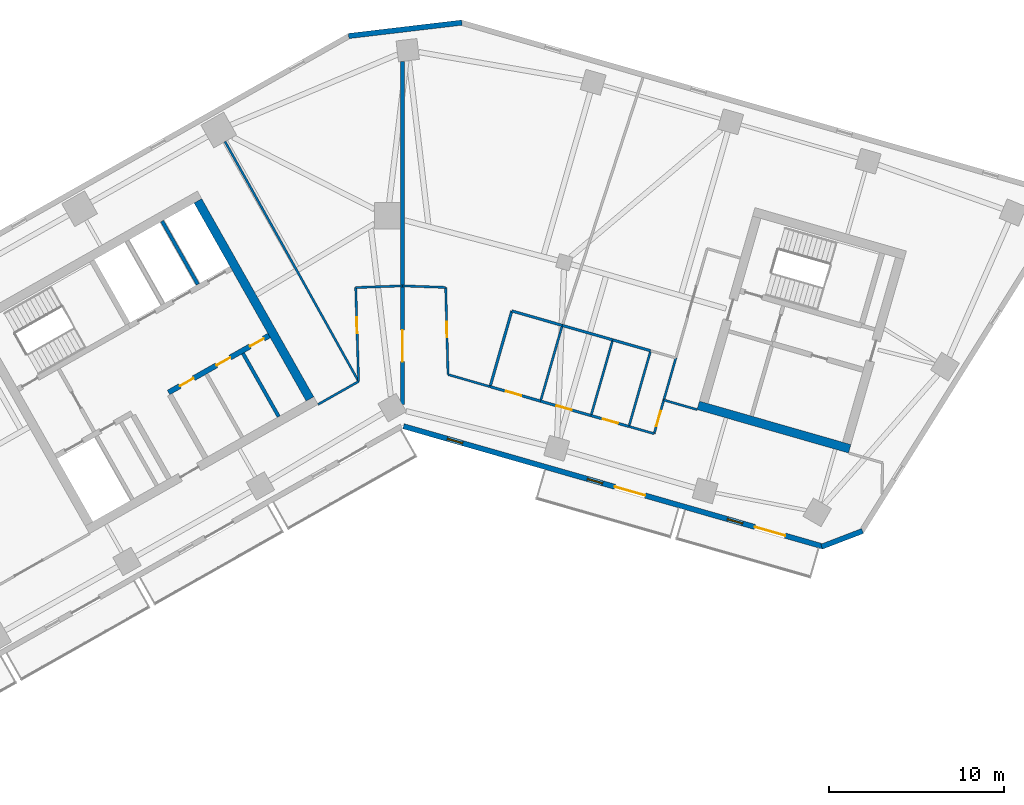
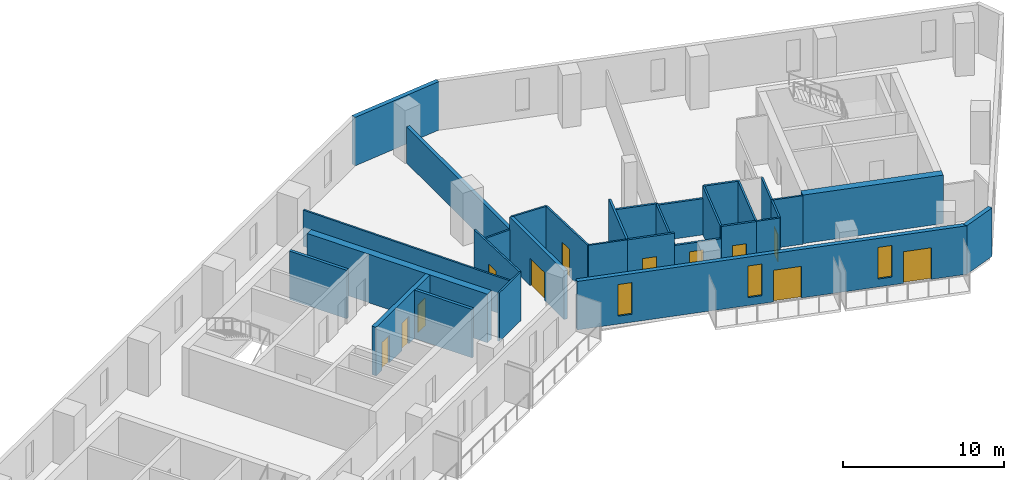
# One storey, part 5 of 9: 31 walls, 12 doors, 3 windows, 15 openings.
"""IFC4 building model written with IfcOpenShell, lengths in metres."""

from ifc_helpers import new_model, si_unit, direction, frame, frame_2d, origin, place, context, subcontext, project, spatial, rectangle, extrude, material, layer, layer_set, type_object, element, fill, save


model = new_model("IFC4")

# Units and contexts
model_context = context("Model", 3, precision=1e-05, world=origin(), true_north=direction((0.0, 1.0)))
body_context = subcontext(model_context, "Body", "Model", "MODEL_VIEW")
ifc_project = project(units=[si_unit("LENGTHUNIT", "METRE"), si_unit("AREAUNIT", "SQUARE_METRE"), si_unit("VOLUMEUNIT", "CUBIC_METRE"), si_unit("PLANEANGLEUNIT", "RADIAN"), si_unit("MASSUNIT", "GRAM", prefix="KILO")], contexts=[model_context])

# Site, building, storey
site_placement = place(None, origin())
site = spatial("IfcSite", under=ifc_project, at=site_placement, CompositionType="ELEMENT")
building_placement = place(site_placement, origin())
building = spatial("IfcBuilding", under=site, at=building_placement, Name="Binnacle Exchange Tower", CompositionType="ELEMENT")
storey_placement = place(building_placement, frame((0.0, 0.0, 190.89990234375)))
storey = spatial("IfcBuildingStorey", under=building, at=storey_placement, Name="L41", CompositionType="ELEMENT", Elevation=190.89990234375)

# Wall
ifc_material_1 = material(Name="Gypsum partition fire rated")
ifc_layer_1 = layer(ifc_material_1, 0.199951171875)
ifc_layer_set_1 = layer_set([ifc_layer_1], Name="Core partition 200")
wall_type_1 = type_object("IfcWallType", Name="Core partition 200", PredefinedType="PARTITIONING", material=ifc_layer_set_1)
wall_1_placement = place(storey_placement, frame((-9.11279296875, 52.14404296875, 0.0), z_axis=(0.0, 0.0, 1.0), x_axis=(0.492396453737, -0.870371031427, 0.0)))
element("IfcWall", 1, at=wall_1_placement, inside=storey, type_object=wall_type_1, Name="Core wall CRWC22", PredefinedType="PARTITIONING", context=body_context, shape_type="SweptSolid", body=[
    extrude(rectangle(XDim=4.14990234375, YDim=0.199951171875, at=frame_2d((2.074951171875, 0.0))), origin(), (0.0, 0.0, 1.0), 3.68017578125),
])

# Wall, openings, doors
ifc_material_2 = material(Name="Concrete C70/85", Category="concrete")
ifc_layer_2 = layer(ifc_material_2, 0.300048828125)
ifc_layer_set_2 = layer_set([ifc_layer_2], Name="Core wall - front 300")
wall_type_2 = type_object("IfcWallType", Name="Core wall - front 300", PredefinedType="SOLIDWALL", material=ifc_layer_set_2)
wall_2_placement = place(storey_placement, frame((-13.364501953125, 49.910888671875, 0.0), z_axis=(0.0, 0.0, 1.0), x_axis=(0.870356769198, 0.492421663121, 0.0)))
wall_2 = element("IfcWall", 2, at=wall_2_placement, inside=storey, type_object=wall_type_2, Name="Core wall CRWC3", PredefinedType="SOLIDWALL", context=body_context, shape_type="SweptSolid", body=[
    extrude(rectangle(XDim=6.60009765625, YDim=0.300048828125, at=frame_2d((3.300048828125, 0.0))), origin(), (0.0, 0.0, 1.0), 3.68017578125),
])
opening_1_placement = place(wall_2_placement, frame((0.75, 0.0, 0.0)))
opening_1 = element("IfcOpeningElement", 3, at=opening_1_placement, cuts=wall_2, Name="Opening DC18", PredefinedType="OPENING", context=body_context, shape_type="SweptSolid", body=[
    extrude(rectangle(XDim=0.89990234375, YDim=2.10009765625, at=frame_2d((0.449951171875, 1.050048828125))), frame((0.0, 0.159912109375, 0.0), z_axis=(0.0, -1.0, 0.0), x_axis=(1.0, 0.0, 0.0)), (0.0, 0.0, 1.0), 0.320068359375),
])
opening_2_placement = place(wall_2_placement, frame((3.14990234375, 0.0, 0.0)))
opening_2 = element("IfcOpeningElement", 4, at=opening_2_placement, cuts=wall_2, Name="Opening DC19", PredefinedType="OPENING", context=body_context, shape_type="SweptSolid", body=[
    extrude(rectangle(XDim=0.89990234375, YDim=2.10009765625, at=frame_2d((0.449951171875, 1.050048828125))), frame((0.0, 0.159912109375, 0.0), z_axis=(0.0, -1.0, 0.0), x_axis=(1.0, 0.0, 0.0)), (0.0, 0.0, 1.0), 0.320068359375),
])
opening_3_placement = place(wall_2_placement, frame((5.35009765625, 0.0, 0.0)))
opening_3 = element("IfcOpeningElement", 5, at=opening_3_placement, cuts=wall_2, Name="Opening DC20", PredefinedType="OPENING", context=body_context, shape_type="SweptSolid", body=[
    extrude(rectangle(XDim=0.89990234375, YDim=2.10009765625, at=frame_2d((0.449951171875, 1.050048828125))), frame((0.0, 0.159912109375, 0.0), z_axis=(0.0, -1.0, 0.0), x_axis=(1.0, 0.0, 0.0)), (0.0, 0.0, 1.0), 0.320068359375),
])
ifc_material_3 = material(Name="Steel door leaf", Category="steel")
door_type_1 = type_object("IfcDoorType", Name="Fire door 900", OperationType="NOTDEFINED", PredefinedType="DOOR", material=ifc_material_3)
door_1_placement = place(opening_1_placement, frame((0.89990234375, 0.0, 0.0), z_axis=(0.0, 0.0, 1.0), x_axis=(-1.0, 0.0, 0.0)))
door_1 = element("IfcDoor", 6, at=door_1_placement, inside=storey, type_object=door_type_1, Name="Core room door FIBRE ENTRY ROOM", OperationType="SINGLE_SWING_RIGHT", OverallHeight=2.10009765625, OverallWidth=0.89990234375, PredefinedType="DOOR", context=body_context, shape_type="SweptSolid", body=[
    extrude(rectangle(XDim=0.89990234375, YDim=2.10009765625, at=frame_2d((0.449951171875, 1.050048828125))), frame((0.0, 0.02490234375, 0.0), z_axis=(0.0, -1.0, 0.0), x_axis=(1.0, 0.0, 0.0)), (0.0, 0.0, 1.0), 0.050048828125),
])
fill(opening_1, door_1)
door_2_placement = place(opening_2_placement, frame((0.89990234375, 0.0, 0.0), z_axis=(0.0, 0.0, 1.0), x_axis=(-1.0, 0.0, 0.0)))
door_2 = element("IfcDoor", 7, at=door_2_placement, inside=storey, type_object=door_type_1, Name="Core room door ELECTRICAL ROOM", OperationType="SINGLE_SWING_LEFT", OverallHeight=2.10009765625, OverallWidth=0.89990234375, PredefinedType="DOOR", context=body_context, shape_type="SweptSolid", body=[
    extrude(rectangle(XDim=0.89990234375, YDim=2.10009765625, at=frame_2d((0.449951171875, 1.050048828125))), frame((0.0, 0.02490234375, 0.0), z_axis=(0.0, -1.0, 0.0), x_axis=(1.0, 0.0, 0.0)), (0.0, 0.0, 1.0), 0.050048828125),
])
fill(opening_2, door_2)
door_3_placement = place(opening_3_placement, frame((0.89990234375, 0.0, 0.0), z_axis=(0.0, 0.0, 1.0), x_axis=(-1.0, 0.0, 0.0)))
door_3 = element("IfcDoor", 8, at=door_3_placement, inside=storey, type_object=door_type_1, Name="Core room door COMMS RISER ROOM", OperationType="SINGLE_SWING_LEFT", OverallHeight=2.10009765625, OverallWidth=0.89990234375, PredefinedType="DOOR", context=body_context, shape_type="SweptSolid", body=[
    extrude(rectangle(XDim=0.89990234375, YDim=2.10009765625, at=frame_2d((0.449951171875, 1.050048828125))), frame((0.0, 0.02490234375, 0.0), z_axis=(0.0, -1.0, 0.0), x_axis=(1.0, 0.0, 0.0)), (0.0, 0.0, 1.0), 0.050048828125),
])
fill(opening_3, door_3)

# Walls
ifc_layer_3 = layer(ifc_material_2, 0.5)
ifc_layer_set_3 = layer_set([ifc_layer_3], Name="Core wall - outer 500")
wall_type_3 = type_object("IfcWallType", Name="Core wall - outer 500", PredefinedType="SOLIDWALL", material=ifc_layer_set_3)
wall_3_placement = place(storey_placement, frame((-11.686767578125, 60.856201171875, 0.0), z_axis=(0.0, 0.0, 1.0), x_axis=(0.492427267353, -0.870353598469, 0.0)))
element("IfcWall", 9, at=wall_3_placement, inside=storey, type_object=wall_type_3, Name="Core wall CRWC24", PredefinedType="SOLIDWALL", context=body_context, shape_type="SweptSolid", body=[
    extrude(rectangle(XDim=13.0, YDim=0.5, at=frame_2d((6.5, 0.0))), origin(), (0.0, 0.0, 1.0), 3.68017578125),
])
wall_4_placement = place(storey_placement, frame((16.896728515625, 49.173095703125, 0.0), z_axis=(0.0, 0.0, 1.0), x_axis=(0.96126248289, -0.275634611374, 0.0)))
element("IfcWall", 10, at=wall_4_placement, inside=storey, type_object=wall_type_3, Name="Core wall CRWD1", PredefinedType="SOLIDWALL", context=body_context, shape_type="SweptSolid", body=[
    extrude(rectangle(XDim=9.0, YDim=0.5, at=frame_2d((4.5, 0.0))), origin(), (0.0, 0.0, 1.0), 3.68017578125),
])

# Wall, openings, doors, windows
ifc_material_4 = material(Name="Bronze aluminium cladding", Category="aluminium")
ifc_layer_4 = layer(ifc_material_4, 0.300048828125)
ifc_layer_set_4 = layer_set([ifc_layer_4], Name="External wall - spandrel 300")
wall_type_4 = type_object("IfcWallType", Name="External wall - spandrel 300", PredefinedType="STANDARD", material=ifc_layer_set_4)
wall_5_placement = place(storey_placement, frame((24.04248046875, 41.10595703125, 0.0), z_axis=(0.0, 0.0, 1.0), x_axis=(-0.961261693976, 0.275637362661, 0.0)))
wall_5 = element("IfcWall", 11, at=wall_5_placement, inside=storey, type_object=wall_type_4, Name="External wall EW-G02 L41", PredefinedType="STANDARD", context=body_context, shape_type="SweptSolid", body=[
    extrude(rectangle(XDim=24.948486328125, YDim=0.300048828125, at=frame_2d((12.47412109375, 0.0))), origin(), (0.0, 0.0, 1.0), 3.68017578125),
])
opening_4_placement = place(wall_5_placement, frame((21.441162109375, 0.0, 0.60009765625)))
opening_4 = element("IfcOpeningElement", 12, at=opening_4_placement, cuts=wall_5, Name="Opening WS3", PredefinedType="OPENING", context=body_context, shape_type="SweptSolid", body=[
    extrude(rectangle(XDim=0.89990234375, YDim=2.39990234375, at=frame_2d((0.449951171875, 1.199951171875))), frame((0.0, 0.159912109375, 0.0), z_axis=(0.0, -1.0, 0.0), x_axis=(1.0, 0.0, 0.0)), (0.0, 0.0, 1.0), 0.320068359375),
])
opening_5_placement = place(wall_5_placement, frame((13.120849609375, 0.0, 0.60009765625)))
opening_5 = element("IfcOpeningElement", 13, at=opening_5_placement, cuts=wall_5, Name="Opening WS3", PredefinedType="OPENING", context=body_context, shape_type="SweptSolid", body=[
    extrude(rectangle(XDim=0.89990234375, YDim=2.39990234375, at=frame_2d((0.449951171875, 1.199951171875))), frame((0.0, 0.159912109375, 0.0), z_axis=(0.0, -1.0, 0.0), x_axis=(1.0, 0.0, 0.0)), (0.0, 0.0, 1.0), 0.320068359375),
])
opening_6_placement = place(wall_5_placement, frame((10.5908203125, 0.0, 0.0)))
opening_6 = element("IfcOpeningElement", 14, at=opening_6_placement, cuts=wall_5, Name="Opening D-FS11-06", PredefinedType="OPENING", context=body_context, shape_type="SweptSolid", body=[
    extrude(rectangle(XDim=1.800048828125, YDim=2.39990234375, at=frame_2d((0.89990234375, 1.199951171875))), frame((0.0, 0.159912109375, 0.0), z_axis=(0.0, -1.0, 0.0), x_axis=(1.0, 0.0, 0.0)), (0.0, 0.0, 1.0), 0.320068359375),
])
opening_7_placement = place(wall_5_placement, frame((4.80029296875, 0.0, 0.60009765625)))
opening_7 = element("IfcOpeningElement", 15, at=opening_7_placement, cuts=wall_5, Name="Opening WS3", PredefinedType="OPENING", context=body_context, shape_type="SweptSolid", body=[
    extrude(rectangle(XDim=0.89990234375, YDim=2.39990234375, at=frame_2d((0.449951171875, 1.199951171875))), frame((0.0, 0.159912109375, 0.0), z_axis=(0.0, -1.0, 0.0), x_axis=(1.0, 0.0, 0.0)), (0.0, 0.0, 1.0), 0.320068359375),
])
opening_8_placement = place(wall_5_placement, frame((2.270263671875, 0.0, 0.0)))
opening_8 = element("IfcOpeningElement", 16, at=opening_8_placement, cuts=wall_5, Name="Opening D-FS11-07", PredefinedType="OPENING", context=body_context, shape_type="SweptSolid", body=[
    extrude(rectangle(XDim=1.800048828125, YDim=2.39990234375, at=frame_2d((0.89990234375, 1.199951171875))), frame((0.0, 0.159912109375, 0.0), z_axis=(0.0, -1.0, 0.0), x_axis=(1.0, 0.0, 0.0)), (0.0, 0.0, 1.0), 0.320068359375),
])
ifc_material_5 = material(Name="Bronze anodised aluminium frame", Category="aluminium")
door_type_2 = type_object("IfcDoorType", Name="DB DOOR 1800x2400", OperationType="DOUBLE_DOOR_SINGLE_SWING", PredefinedType="DOOR", material=ifc_material_5)
door_4_placement = place(opening_6_placement, origin())
door_4 = element("IfcDoor", 17, at=door_4_placement, inside=storey, type_object=door_type_2, Name="Door D-FS11-06 L41", OperationType="DOUBLE_DOOR_SINGLE_SWING", OverallHeight=2.39990234375, OverallWidth=1.800048828125, PredefinedType="DOOR", context=body_context, shape_type="SweptSolid", body=[
    extrude(rectangle(XDim=1.800048828125, YDim=2.39990234375, at=frame_2d((0.89990234375, 1.199951171875))), frame((0.0, 0.02490234375, 0.0), z_axis=(0.0, -1.0, 0.0), x_axis=(1.0, 0.0, 0.0)), (0.0, 0.0, 1.0), 0.050048828125),
])
fill(opening_6, door_4)
door_5_placement = place(opening_8_placement, origin())
door_5 = element("IfcDoor", 18, at=door_5_placement, inside=storey, type_object=door_type_2, Name="Door D-FS11-07 L41", OperationType="DOUBLE_DOOR_SINGLE_SWING", OverallHeight=2.39990234375, OverallWidth=1.800048828125, PredefinedType="DOOR", context=body_context, shape_type="SweptSolid", body=[
    extrude(rectangle(XDim=1.800048828125, YDim=2.39990234375, at=frame_2d((0.89990234375, 1.199951171875))), frame((0.0, 0.02490234375, 0.0), z_axis=(0.0, -1.0, 0.0), x_axis=(1.0, 0.0, 0.0)), (0.0, 0.0, 1.0), 0.050048828125),
])
fill(opening_8, door_5)
window_type = type_object("IfcWindowType", Name="WS3 WINDOW 900x2400", PartitioningType="SINGLE_PANEL", PredefinedType="WINDOW", material=ifc_material_5)
window_1_placement = place(opening_4_placement, origin())
window_1 = element("IfcWindow", 19, at=window_1_placement, inside=storey, type_object=window_type, Name="Window WS3 L41", OverallHeight=2.39990234375, OverallWidth=0.89990234375, PartitioningType="SINGLE_PANEL", PredefinedType="WINDOW", context=body_context, shape_type="SweptSolid", body=[
    extrude(rectangle(XDim=0.89990234375, YDim=2.39990234375, at=frame_2d((0.449951171875, 1.199951171875))), frame((0.0, 0.030029296875, 0.0), z_axis=(0.0, -1.0, 0.0), x_axis=(1.0, 0.0, 0.0)), (0.0, 0.0, 1.0), 0.06005859375),
])
fill(opening_4, window_1)
window_2_placement = place(opening_5_placement, origin())
window_2 = element("IfcWindow", 20, at=window_2_placement, inside=storey, type_object=window_type, Name="Window WS3 L41", OverallHeight=2.39990234375, OverallWidth=0.89990234375, PartitioningType="SINGLE_PANEL", PredefinedType="WINDOW", context=body_context, shape_type="SweptSolid", body=[
    extrude(rectangle(XDim=0.89990234375, YDim=2.39990234375, at=frame_2d((0.449951171875, 1.199951171875))), frame((0.0, 0.030029296875, 0.0), z_axis=(0.0, -1.0, 0.0), x_axis=(1.0, 0.0, 0.0)), (0.0, 0.0, 1.0), 0.06005859375),
])
fill(opening_5, window_2)
window_3_placement = place(opening_7_placement, origin())
window_3 = element("IfcWindow", 21, at=window_3_placement, inside=storey, type_object=window_type, Name="Window WS3 L41", OverallHeight=2.39990234375, OverallWidth=0.89990234375, PartitioningType="SINGLE_PANEL", PredefinedType="WINDOW", context=body_context, shape_type="SweptSolid", body=[
    extrude(rectangle(XDim=0.89990234375, YDim=2.39990234375, at=frame_2d((0.449951171875, 1.199951171875))), frame((0.0, 0.030029296875, 0.0), z_axis=(0.0, -1.0, 0.0), x_axis=(1.0, 0.0, 0.0)), (0.0, 0.0, 1.0), 0.06005859375),
])
fill(opening_7, window_3)

# Walls
wall_6_placement = place(storey_placement, frame((26.27783203125, 41.996337890625, 0.0), z_axis=(0.0, 0.0, 1.0), x_axis=(-0.933592404159, -0.358336745112, 0.0)))
element("IfcWall", 22, at=wall_6_placement, inside=storey, type_object=wall_type_4, Name="External wall EW-G03 L41", PredefinedType="STANDARD", context=body_context, shape_type="SweptSolid", body=[
    extrude(rectangle(XDim=2.496337890625, YDim=0.300048828125, at=frame_2d((1.248046875, 0.0))), origin(), (0.0, 0.0, 1.0), 3.68017578125),
])
wall_7_placement = place(storey_placement, frame((-3.076171875, 70.27294921875, 0.0), z_axis=(0.0, 0.0, 1.0), x_axis=(0.993067743007, 0.117543429416, 0.0)))
element("IfcWall", 23, at=wall_7_placement, inside=storey, type_object=wall_type_4, Name="External wall EW-G07 L41", PredefinedType="STANDARD", context=body_context, shape_type="SweptSolid", body=[
    extrude(rectangle(XDim=6.515625, YDim=0.300048828125, at=frame_2d((3.2578125, 0.0))), origin(), (0.0, 0.0, 1.0), 3.68017578125),
])

# Wall, opening, door
ifc_material_6 = material(Name="Concrete fire wall C30/37", Category="concrete")
ifc_layer_5 = layer(ifc_material_6, 0.25)
ifc_layer_set_5 = layer_set([ifc_layer_5], Name="Fire wall - compartment 250")
wall_type_5 = type_object("IfcWallType", Name="Fire wall - compartment 250", PredefinedType="PARTITIONING", material=ifc_layer_set_5)
wall_8_placement = place(storey_placement, frame((0.0, 49.218994140625, 0.0), z_axis=(0.0, 0.0, 1.0), x_axis=(0.0, 1.0, 0.0)))
wall_8 = element("IfcWall", 24, at=wall_8_placement, inside=storey, type_object=wall_type_5, Name="Fire Wall W08", PredefinedType="PARTITIONING", context=body_context, shape_type="SweptSolid", body=[
    extrude(rectangle(XDim=6.781005859375, YDim=0.25, at=frame_2d((3.390625, 0.0))), origin(), (0.0, 0.0, 1.0), 3.68017578125),
])
opening_9_placement = place(wall_8_placement, frame((2.449951171875, 0.0, 0.0)))
opening_9 = element("IfcOpeningElement", 25, at=opening_9_placement, cuts=wall_8, Name="Opening DL41-09", PredefinedType="OPENING", context=body_context, shape_type="SweptSolid", body=[
    extrude(rectangle(XDim=1.800048828125, YDim=2.10009765625, at=frame_2d((0.89990234375, 1.050048828125))), frame((0.0, 0.135009765625, 0.0), z_axis=(0.0, -1.0, 0.0), x_axis=(1.0, 0.0, 0.0)), (0.0, 0.0, 1.0), 0.27001953125),
])
door_type_3 = type_object("IfcDoorType", Name="Fire door 1800", OperationType="NOTDEFINED", PredefinedType="DOOR", material=ifc_material_3)
door_6_placement = place(opening_9_placement, origin())
door_6 = element("IfcDoor", 26, at=door_6_placement, inside=storey, type_object=door_type_3, Name="Door DL41-09", OperationType="DOUBLE_DOOR_SINGLE_SWING", OverallHeight=2.10009765625, OverallWidth=1.800048828125, PredefinedType="DOOR", context=body_context, shape_type="SweptSolid", body=[
    extrude(rectangle(XDim=1.800048828125, YDim=2.10009765625, at=frame_2d((0.89990234375, 1.050048828125))), frame((0.0, 0.02490234375, 0.0), z_axis=(0.0, -1.0, 0.0), x_axis=(1.0, 0.0, 0.0)), (0.0, 0.0, 1.0), 0.050048828125),
])
fill(opening_9, door_6)

# Walls
wall_9_placement = place(storey_placement, frame((0.0, 56.0, 0.0), z_axis=(0.0, 0.0, 1.0), x_axis=(0.0, 1.0, 0.0)))
element("IfcWall", 27, at=wall_9_placement, inside=storey, type_object=wall_type_5, Name="Fire Wall W09", PredefinedType="PARTITIONING", context=body_context, shape_type="SweptSolid", body=[
    extrude(rectangle(XDim=12.823974609375, YDim=0.25, at=frame_2d((6.412109375, 0.0))), origin(), (0.0, 0.0, 1.0), 2.748046875),
])
ifc_layer_6 = layer(ifc_material_1, 0.14990234375)
ifc_layer_set_6 = layer_set([ifc_layer_6], Name="Fire-rated partition 150")
wall_type_6 = type_object("IfcWallType", Name="Fire-rated partition 150", PredefinedType="PARTITIONING", material=ifc_layer_set_6)
wall_10_placement = place(storey_placement, frame((5.00390625, 50.242919921875, 0.0), z_axis=(0.0, 0.0, 1.0), x_axis=(0.275838825927, 0.961203902464, 0.0)))
element("IfcWall", 28, at=wall_10_placement, inside=storey, type_object=wall_type_6, Name="Partition W13", PredefinedType="PARTITIONING", context=body_context, shape_type="SweptSolid", body=[
    extrude(rectangle(XDim=4.499755859375, YDim=0.14990234375, at=frame_2d((2.25, 0.0))), origin(), (0.0, 0.0, 1.0), 3.68017578125),
])

# Wall, opening, door
wall_11_placement = place(storey_placement, frame((5.00390625, 50.242919921875, 0.0), z_axis=(0.0, 0.0, 1.0), x_axis=(0.961268664977, -0.27561305073, 0.0)))
wall_11 = element("IfcWall", 29, at=wall_11_placement, inside=storey, type_object=wall_type_6, Name="Partition W14", PredefinedType="PARTITIONING", context=body_context, shape_type="SweptSolid", body=[
    extrude(rectangle(XDim=3.000244140625, YDim=0.14990234375, at=frame_2d((1.5, 0.0))), origin(), (0.0, 0.0, 1.0), 3.68017578125),
])
opening_10_placement = place(wall_11_placement, frame((0.949951171875, 0.0, 0.0)))
opening_10 = element("IfcOpeningElement", 30, at=opening_10_placement, cuts=wall_11, Name="Opening DL41-03", PredefinedType="OPENING", context=body_context, shape_type="SweptSolid", body=[
    extrude(rectangle(XDim=0.89990234375, YDim=2.10009765625, at=frame_2d((0.449951171875, 1.050048828125))), frame((0.0, 0.0849609375, 0.0), z_axis=(0.0, -1.0, 0.0), x_axis=(1.0, 0.0, 0.0)), (0.0, 0.0, 1.0), 0.169921875),
])
door_7_placement = place(opening_10_placement, origin())
door_7 = element("IfcDoor", 31, at=door_7_placement, inside=storey, type_object=door_type_1, Name="Door DL41-03", OperationType="SINGLE_SWING_LEFT", OverallHeight=2.10009765625, OverallWidth=0.89990234375, PredefinedType="DOOR", context=body_context, shape_type="SweptSolid", body=[
    extrude(rectangle(XDim=0.89990234375, YDim=2.10009765625, at=frame_2d((0.449951171875, 1.050048828125))), frame((0.0, 0.02490234375, 0.0), z_axis=(0.0, -1.0, 0.0), x_axis=(1.0, 0.0, 0.0)), (0.0, 0.0, 1.0), 0.050048828125),
])
fill(opening_10, door_7)

# Wall
wall_12_placement = place(storey_placement, frame((6.2451171875, 54.568115234375, 0.0), z_axis=(0.0, 0.0, 1.0), x_axis=(0.961240918172, -0.275709806194, 0.0)))
element("IfcWall", 32, at=wall_12_placement, inside=storey, type_object=wall_type_6, Name="Partition W15", PredefinedType="PARTITIONING", context=body_context, shape_type="SweptSolid", body=[
    extrude(rectangle(XDim=3.0, YDim=0.14990234375, at=frame_2d((1.5, 0.0))), origin(), (0.0, 0.0, 1.0), 2.85205078125),
])

# Wall, opening, door
wall_13_placement = place(storey_placement, frame((7.887939453125, 49.416015625, 0.0), z_axis=(0.0, 0.0, 1.0), x_axis=(0.961268664977, -0.27561305073, 0.0)))
wall_13 = element("IfcWall", 33, at=wall_13_placement, inside=storey, type_object=wall_type_6, Name="Partition W17", PredefinedType="PARTITIONING", context=body_context, shape_type="SweptSolid", body=[
    extrude(rectangle(XDim=3.000244140625, YDim=0.14990234375, at=frame_2d((1.5, 0.0))), origin(), (0.0, 0.0, 1.0), 2.748046875),
])
opening_11_placement = place(wall_13_placement, frame((0.949951171875, 0.0, 0.0)))
opening_11 = element("IfcOpeningElement", 34, at=opening_11_placement, cuts=wall_13, Name="Opening DL41-04", PredefinedType="OPENING", context=body_context, shape_type="SweptSolid", body=[
    extrude(rectangle(XDim=0.89990234375, YDim=2.10009765625, at=frame_2d((0.449951171875, 1.050048828125))), frame((0.0, 0.0849609375, 0.0), z_axis=(0.0, -1.0, 0.0), x_axis=(1.0, 0.0, 0.0)), (0.0, 0.0, 1.0), 0.169921875),
])
door_8_placement = place(opening_11_placement, origin())
door_8 = element("IfcDoor", 35, at=door_8_placement, inside=storey, type_object=door_type_1, Name="Door DL41-04", OperationType="SINGLE_SWING_LEFT", OverallHeight=2.10009765625, OverallWidth=0.89990234375, PredefinedType="DOOR", context=body_context, shape_type="SweptSolid", body=[
    extrude(rectangle(XDim=0.89990234375, YDim=2.10009765625, at=frame_2d((0.449951171875, 1.050048828125))), frame((0.0, 0.02490234375, 0.0), z_axis=(0.0, -1.0, 0.0), x_axis=(1.0, 0.0, 0.0)), (0.0, 0.0, 1.0), 0.050048828125),
])
fill(opening_11, door_8)

# Wall
wall_14_placement = place(storey_placement, frame((9.12890625, 53.740966796875, 0.0), z_axis=(0.0, 0.0, 1.0), x_axis=(0.961243927922, -0.275699312717, 0.0)))
element("IfcWall", 36, at=wall_14_placement, inside=storey, type_object=wall_type_6, Name="Partition W18", PredefinedType="PARTITIONING", context=body_context, shape_type="SweptSolid", body=[
    extrude(rectangle(XDim=2.999267578125, YDim=0.14990234375, at=frame_2d((1.49951171875, 0.0))), origin(), (0.0, 0.0, 1.0), 2.748046875),
])

# Wall, opening, door
wall_15_placement = place(storey_placement, frame((10.77197265625, 48.589111328125, 0.0), z_axis=(0.0, 0.0, 1.0), x_axis=(0.96127791106, -0.275580800688, 0.0)))
wall_15 = element("IfcWall", 37, at=wall_15_placement, inside=storey, type_object=wall_type_6, Name="Partition W21", PredefinedType="PARTITIONING", context=body_context, shape_type="SweptSolid", body=[
    extrude(rectangle(XDim=2.250244140625, YDim=0.14990234375, at=frame_2d((1.125, 0.0))), origin(), (0.0, 0.0, 1.0), 3.68017578125),
])
opening_12_placement = place(wall_15_placement, frame((0.699951171875, 0.0, 0.0)))
opening_12 = element("IfcOpeningElement", 38, at=opening_12_placement, cuts=wall_15, Name="Opening DL41-05", PredefinedType="OPENING", context=body_context, shape_type="SweptSolid", body=[
    extrude(rectangle(XDim=0.89990234375, YDim=2.10009765625, at=frame_2d((0.449951171875, 1.050048828125))), frame((0.0, 0.0849609375, 0.0), z_axis=(0.0, -1.0, 0.0), x_axis=(1.0, 0.0, 0.0)), (0.0, 0.0, 1.0), 0.169921875),
])
door_9_placement = place(opening_12_placement, origin())
door_9 = element("IfcDoor", 39, at=door_9_placement, inside=storey, type_object=door_type_1, Name="Door DL41-05", OperationType="SINGLE_SWING_RIGHT", OverallHeight=2.10009765625, OverallWidth=0.89990234375, PredefinedType="DOOR", context=body_context, shape_type="SweptSolid", body=[
    extrude(rectangle(XDim=0.89990234375, YDim=2.10009765625, at=frame_2d((0.449951171875, 1.050048828125))), frame((0.0, 0.02490234375, 0.0), z_axis=(0.0, -1.0, 0.0), x_axis=(1.0, 0.0, 0.0)), (0.0, 0.0, 1.0), 0.050048828125),
])
fill(opening_12, door_9)

# Walls
wall_16_placement = place(storey_placement, frame((12.011962890625, 52.9140625, 0.0), z_axis=(0.0, 0.0, 1.0), x_axis=(0.96127791106, -0.275580800688, 0.0)))
element("IfcWall", 40, at=wall_16_placement, inside=storey, type_object=wall_type_6, Name="Partition W22", PredefinedType="PARTITIONING", context=body_context, shape_type="SweptSolid", body=[
    extrude(rectangle(XDim=2.250244140625, YDim=0.14990234375, at=frame_2d((1.125, 0.0))), origin(), (0.0, 0.0, 1.0), 3.68017578125),
])
ifc_material_7 = material(Name="Gypsum partition")
ifc_layer_7 = layer(ifc_material_7, 0.125)
ifc_layer_set_7 = layer_set([ifc_layer_7], Name="Partition 125")
wall_type_7 = type_object("IfcWallType", Name="Partition 125", PredefinedType="PARTITIONING", material=ifc_layer_set_7)
wall_17_placement = place(storey_placement, frame((-10.136962890625, 64.242919921875, 0.0), z_axis=(0.0, 0.0, 1.0), x_axis=(0.486452862603, -0.873706822948, 0.0)))
element("IfcWall", 41, at=wall_17_placement, inside=storey, type_object=wall_type_7, Name="Partition W04", PredefinedType="PARTITIONING", context=body_context, shape_type="SweptSolid", body=[
    extrude(rectangle(XDim=15.684814453125, YDim=0.125, at=frame_2d((7.84228515625, 0.0))), origin(), (0.0, 0.0, 1.0), 2.748046875),
])
wall_18_placement = place(storey_placement, frame((-4.821044921875, 49.22998046875, 0.0), z_axis=(0.0, 0.0, 1.0), x_axis=(0.870371217631, 0.492396124598, 0.0)))
element("IfcWall", 42, at=wall_18_placement, inside=storey, type_object=wall_type_7, Name="Partition W05", PredefinedType="PARTITIONING", context=body_context, shape_type="SweptSolid", body=[
    extrude(rectangle(XDim=2.65869140625, YDim=0.125, at=frame_2d((1.329345703125, 0.0))), origin(), (0.0, 0.0, 1.0), 3.68017578125),
])

# Wall, opening, door
wall_19_placement = place(storey_placement, frame((-2.669921875, 55.904052734375, 0.0), z_axis=(0.0, 0.0, 1.0), x_axis=(0.030338701418, -0.999539675649, 0.0)))
wall_19 = element("IfcWall", 43, at=wall_19_placement, inside=storey, type_object=wall_type_7, Name="Partition W06", PredefinedType="PARTITIONING", context=body_context, shape_type="SweptSolid", body=[
    extrude(rectangle(XDim=5.367431640625, YDim=0.125, at=frame_2d((2.68359375, 0.0))), origin(), (0.0, 0.0, 1.0), 3.68017578125),
])
opening_13_placement = place(wall_19_placement, frame((1.699951171875, 0.0, 0.0)))
opening_13 = element("IfcOpeningElement", 44, at=opening_13_placement, cuts=wall_19, Name="Opening DL41-02", PredefinedType="OPENING", context=body_context, shape_type="SweptSolid", body=[
    extrude(rectangle(XDim=0.89990234375, YDim=2.10009765625, at=frame_2d((0.449951171875, 1.050048828125))), frame((0.0, 0.072509765625, 0.0), z_axis=(0.0, -1.0, 0.0), x_axis=(1.0, 0.0, 0.0)), (0.0, 0.0, 1.0), 0.14501953125),
])
ifc_material_8 = material(Name="Timber door leaf", Category="wood")
door_type_4 = type_object("IfcDoorType", Name="Door 900", OperationType="NOTDEFINED", PredefinedType="DOOR", material=ifc_material_8)
door_10_placement = place(opening_13_placement, frame((0.89990234375, 0.0, 0.0), z_axis=(0.0, 0.0, 1.0), x_axis=(-1.0, 0.0, 0.0)))
door_10 = element("IfcDoor", 45, at=door_10_placement, inside=storey, type_object=door_type_4, Name="Door DL41-02", OperationType="SINGLE_SWING_RIGHT", OverallHeight=2.10009765625, OverallWidth=0.89990234375, PredefinedType="DOOR", context=body_context, shape_type="SweptSolid", body=[
    extrude(rectangle(XDim=0.89990234375, YDim=2.10009765625, at=frame_2d((0.449951171875, 1.050048828125))), frame((0.0, 0.02490234375, 0.0), z_axis=(0.0, -1.0, 0.0), x_axis=(1.0, 0.0, 0.0)), (0.0, 0.0, 1.0), 0.050048828125),
])
fill(opening_13, door_10)

# Walls
wall_20_placement = place(storey_placement, frame((-2.669921875, 55.904052734375, 0.0), z_axis=(0.0, 0.0, 1.0), x_axis=(0.999354913865, 0.03591317494, 0.0)))
element("IfcWall", 46, at=wall_20_placement, inside=storey, type_object=wall_type_7, Name="Partition W07", PredefinedType="PARTITIONING", context=body_context, shape_type="SweptSolid", body=[
    extrude(rectangle(XDim=2.671630859375, YDim=0.125, at=frame_2d((1.3359375, 0.0))), origin(), (0.0, 0.0, 1.0), 2.748046875),
])
wall_21_placement = place(storey_placement, frame((0.0, 56.0, 0.0), z_axis=(0.0, 0.0, 1.0), x_axis=(0.999349313684, -0.036068673934, 0.0)))
element("IfcWall", 47, at=wall_21_placement, inside=storey, type_object=wall_type_7, Name="Partition W10", PredefinedType="PARTITIONING", context=body_context, shape_type="SweptSolid", body=[
    extrude(rectangle(XDim=2.470703125, YDim=0.125, at=frame_2d((1.2353515625, 0.0))), origin(), (0.0, 0.0, 1.0), 3.68017578125),
])

# Wall, opening, door
wall_22_placement = place(storey_placement, frame((2.468994140625, 55.910888671875, 0.0), z_axis=(0.0, 0.0, 1.0), x_axis=(0.02651808123, -0.999648333849, 0.0)))
wall_22 = element("IfcWall", 48, at=wall_22_placement, inside=storey, type_object=wall_type_7, Name="Partition W11", PredefinedType="PARTITIONING", context=body_context, shape_type="SweptSolid", body=[
    extrude(rectangle(XDim=4.980712890625, YDim=0.125, at=frame_2d((2.490234375, 0.0))), origin(), (0.0, 0.0, 1.0), 3.68017578125),
])
opening_14_placement = place(wall_22_placement, frame((1.949951171875, 0.0, 0.0)))
opening_14 = element("IfcOpeningElement", 49, at=opening_14_placement, cuts=wall_22, Name="Opening DL41-07", PredefinedType="OPENING", context=body_context, shape_type="SweptSolid", body=[
    extrude(rectangle(XDim=0.89990234375, YDim=2.10009765625, at=frame_2d((0.449951171875, 1.050048828125))), frame((0.0, 0.072509765625, 0.0), z_axis=(0.0, -1.0, 0.0), x_axis=(1.0, 0.0, 0.0)), (0.0, 0.0, 1.0), 0.14501953125),
])
door_11_placement = place(opening_14_placement, origin())
door_11 = element("IfcDoor", 50, at=door_11_placement, inside=storey, type_object=door_type_4, Name="Door DL41-07", OperationType="SINGLE_SWING_LEFT", OverallHeight=2.10009765625, OverallWidth=0.89990234375, PredefinedType="DOOR", context=body_context, shape_type="SweptSolid", body=[
    extrude(rectangle(XDim=0.89990234375, YDim=2.10009765625, at=frame_2d((0.449951171875, 1.050048828125))), frame((0.0, 0.02490234375, 0.0), z_axis=(0.0, -1.0, 0.0), x_axis=(1.0, 0.0, 0.0)), (0.0, 0.0, 1.0), 0.050048828125),
])
fill(opening_14, door_11)

# Walls
wall_23_placement = place(storey_placement, frame((2.60107421875, 50.931884765625, 0.0), z_axis=(0.0, 0.0, 1.0), x_axis=(0.961265528111, -0.275623991092, 0.0)))
element("IfcWall", 51, at=wall_23_placement, inside=storey, type_object=wall_type_7, Name="Partition W12", PredefinedType="PARTITIONING", context=body_context, shape_type="SweptSolid", body=[
    extrude(rectangle(XDim=2.499755859375, YDim=0.125, at=frame_2d((1.25, 0.0))), origin(), (0.0, 0.0, 1.0), 3.68017578125),
])
wall_24_placement = place(storey_placement, frame((7.887939453125, 49.416015625, 0.0), z_axis=(0.0, 0.0, 1.0), x_axis=(0.275803080638, 0.96121415965, 0.0)))
element("IfcWall", 52, at=wall_24_placement, inside=storey, type_object=wall_type_7, Name="Partition W16", PredefinedType="PARTITIONING", context=body_context, shape_type="SweptSolid", body=[
    extrude(rectangle(XDim=4.49951171875, YDim=0.125, at=frame_2d((2.249755859375, 0.0))), origin(), (0.0, 0.0, 1.0), 2.85205078125),
])
for number, where, z_axis, x_axis, name in (
    (53, (10.77197265625, 48.589111328125, 0.0), (0.0, 0.0, 1.0), (0.275602532653, 0.961271680637, 0.0), "Partition W20"),
    (54, (12.93505859375, 47.968994140625, 0.0), (0.0, 0.0, 1.0), (0.275602532653, 0.961271680637, 0.0), "Partition W23"),
):
    element("IfcWall", number, at=place(storey_placement, frame(where, z_axis=z_axis, x_axis=x_axis)), inside=storey, type_object=wall_type_7, Name=name, PredefinedType="PARTITIONING", context=body_context, shape_type="SweptSolid", body=[
        extrude(rectangle(XDim=4.499267578125, YDim=0.125, at=frame_2d((2.24951171875, 0.0))), origin(), (0.0, 0.0, 1.0), 3.68017578125),
    ])
wall_25_placement = place(storey_placement, frame((12.93505859375, 47.968994140625, 0.0), z_axis=(0.0, 0.0, 1.0), x_axis=(0.961154610169, -0.276010534854, 0.0)))
element("IfcWall", 55, at=wall_25_placement, inside=storey, type_object=wall_type_7, Name="Partition W24", PredefinedType="PARTITIONING", context=body_context, shape_type="SweptSolid", body=[
    extrude(rectangle(XDim=1.500244140625, YDim=0.125, at=frame_2d((0.75, 0.0))), origin(), (0.0, 0.0, 1.0), 3.68017578125),
])

# Wall, opening, door
wall_26_placement = place(storey_placement, frame((14.376953125, 47.554931640625, 0.0), z_axis=(0.0, 0.0, 1.0), x_axis=(0.275446387355, 0.961316434736, 0.0)))
wall_26 = element("IfcWall", 56, at=wall_26_placement, inside=storey, type_object=wall_type_7, Name="Partition W26", PredefinedType="PARTITIONING", context=body_context, shape_type="SweptSolid", body=[
    extrude(rectangle(XDim=2.00048828125, YDim=0.125, at=frame_2d((1.000244140625, 0.0))), origin(), (0.0, 0.0, 1.0), 3.68017578125),
])
opening_15_placement = place(wall_26_placement, frame((0.449951171875, 0.0, 0.0)))
opening_15 = element("IfcOpeningElement", 57, at=opening_15_placement, cuts=wall_26, Name="Opening DL41-06", PredefinedType="OPENING", context=body_context, shape_type="SweptSolid", body=[
    extrude(rectangle(XDim=0.89990234375, YDim=2.10009765625, at=frame_2d((0.449951171875, 1.050048828125))), frame((0.0, 0.072509765625, 0.0), z_axis=(0.0, -1.0, 0.0), x_axis=(1.0, 0.0, 0.0)), (0.0, 0.0, 1.0), 0.14501953125),
])
door_12_placement = place(opening_15_placement, origin())
door_12 = element("IfcDoor", 58, at=door_12_placement, inside=storey, type_object=door_type_4, Name="Door DL41-06", OperationType="SINGLE_SWING_LEFT", OverallHeight=2.10009765625, OverallWidth=0.89990234375, PredefinedType="DOOR", context=body_context, shape_type="SweptSolid", body=[
    extrude(rectangle(XDim=0.89990234375, YDim=2.10009765625, at=frame_2d((0.449951171875, 1.050048828125))), frame((0.0, 0.02490234375, 0.0), z_axis=(0.0, -1.0, 0.0), x_axis=(1.0, 0.0, 0.0)), (0.0, 0.0, 1.0), 0.050048828125),
])
fill(opening_15, door_12)

# Walls
wall_27_placement = place(storey_placement, frame((14.927978515625, 49.47802734375, 0.0), z_axis=(0.0, 0.0, 1.0), x_axis=(0.275598116036, 0.961272946898, 0.0)))
element("IfcWall", 59, at=wall_27_placement, inside=storey, type_object=wall_type_7, Name="Partition W27", PredefinedType="PARTITIONING", context=body_context, shape_type="SweptSolid", body=[
    extrude(rectangle(XDim=2.5, YDim=0.125, at=frame_2d((1.25, 0.0))), origin(), (0.0, 0.0, 1.0), 3.68017578125),
])
wall_28_placement = place(storey_placement, frame((14.927978515625, 49.47802734375, 0.0), z_axis=(0.0, 0.0, 1.0), x_axis=(0.961243778232, -0.27569983462, 0.0)))
element("IfcWall", 60, at=wall_28_placement, inside=storey, type_object=wall_type_7, Name="Partition W28", PredefinedType="PARTITIONING", context=body_context, shape_type="SweptSolid", body=[
    extrude(rectangle(XDim=1.9765625, YDim=0.125, at=frame_2d((0.98828125, 0.0))), origin(), (0.0, 0.0, 1.0), 3.68017578125),
])
ifc_material_9 = material(Name="Masonry block wall", Category="masonry")
ifc_layer_8 = layer(ifc_material_9, 0.199951171875)
ifc_layer_set_8 = layer_set([ifc_layer_8], Name="Shaft wall 200")
wall_type_8 = type_object("IfcWallType", Name="Shaft wall 200", PredefinedType="SOLIDWALL", material=ifc_layer_set_8)
wall_29_placement = place(storey_placement, frame((-13.73193359375, 59.698974609375, 0.0), z_axis=(0.0, 0.0, 1.0), x_axis=(0.492396453737, -0.870371031427, 0.0)))
element("IfcWall", 61, at=wall_29_placement, inside=storey, type_object=wall_type_8, Name="Core wall CRWC21", PredefinedType="SOLIDWALL", context=body_context, shape_type="SweptSolid", body=[
    extrude(rectangle(XDim=4.14990234375, YDim=0.199951171875, at=frame_2d((2.074951171875, 0.0))), origin(), (0.0, 0.0, 1.0), 3.68017578125),
])

save(model, "model.ifc")
